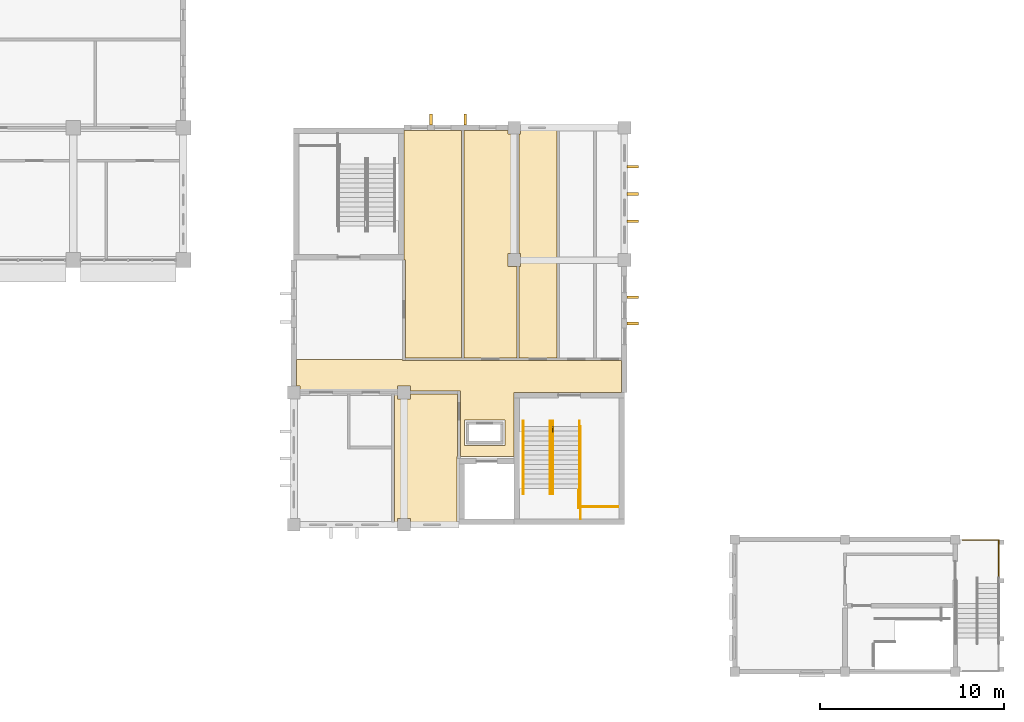
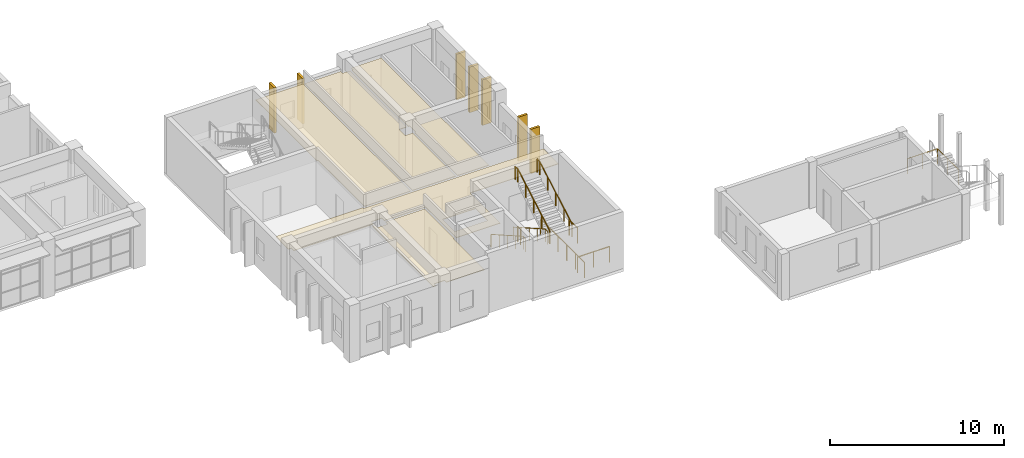
# One storey, part 45 of 47: 9 railings, 7 shading devices, 5 coverings.
"""IFC4 building model written with IfcOpenShell, lengths in metres."""

from ifc_helpers import new_model, si_unit, direction, frame, origin, origin_2d, place, context, subcontext, project, spatial, polyline, rectangle, circle, outline, extrude, material, layer, layer_set, type_object, element, save


model = new_model("IFC4")

# Units and contexts
model_context = context("Model", 3, precision=1e-05, world=origin(), true_north=direction((0.0, 1.0)))
body_context = subcontext(model_context, "Body", "Model", "MODEL_VIEW")
ifc_project = project(units=[si_unit("LENGTHUNIT", "METRE"), si_unit("AREAUNIT", "SQUARE_METRE"), si_unit("VOLUMEUNIT", "CUBIC_METRE"), si_unit("PLANEANGLEUNIT", "RADIAN"), si_unit("MASSUNIT", "GRAM", prefix="KILO")], contexts=[model_context])

# Site, building, storey
site_placement = place(None, origin())
site = spatial("IfcSite", under=ifc_project, at=site_placement, CompositionType="ELEMENT")
building_placement = place(site_placement, origin())
building = spatial("IfcBuilding", under=site, at=building_placement, Name="Laocheng Heights Fire and Rescue Headquarters", CompositionType="ELEMENT")
storey_placement = place(building_placement, frame((0.0, 0.0, 16.800048828125)))
storey = spatial("IfcBuildingStorey", under=building, at=storey_placement, Name="L04", CompositionType="ELEMENT", Elevation=16.800048828125)

# Shading devices
ifc_material_1 = material(Name="Precast concrete C40/50, light warm grey", Category="concrete")
ifc_layer_1 = layer(ifc_material_1, 0.14990234375)
ifc_layer_set_1 = layer_set([ifc_layer_1], Name="Precast concrete C40/50, light warm grey")
shading_device_type = type_object("IfcShadingDeviceType", Name="PRECAST VERTICAL FIN 150 x 600 DORMITORY", PredefinedType="AWNING", material=ifc_layer_set_1)
for number, where, z_axis, x_axis, name in (
    (1, (108.449951171875, 46.956298828125, 0.0), (0.0, 0.0, 1.0), (1.0, 0.0, 0.0), "FIN CREW L04"),
    (2, (108.449951171875, 48.373779296875, 0.0), (0.0, 0.0, 1.0), (1.0, 0.0, 0.0), "FIN CREW L04"),
):
    element("IfcShadingDevice", number, at=place(storey_placement, frame(where, z_axis=z_axis, x_axis=x_axis)), inside=storey, type_object=shading_device_type, Name=name, PredefinedType="AWNING", context=body_context, shape_type="SweptSolid", body=[
        extrude(rectangle(XDim=0.60009765625, YDim=0.14990234375, at=origin_2d()), origin(), (0.0, 0.0, 1.0), 3.10009765625),
    ])
for number, where, z_axis, x_axis, name in (
    (3, (108.449951171875, 52.52001953125, 0.0), (0.0, 0.0, 1.0), (1.0, 0.0, 0.0), "FIN CREW L04"),
    (4, (108.449951171875, 54.0, 0.0), (0.0, 0.0, 1.0), (1.0, 0.0, 0.0), "FIN CREW L04"),
    (5, (108.449951171875, 55.47998046875, 0.0), (0.0, 0.0, 1.0), (1.0, 0.0, 0.0), "FIN CREW L04"),
):
    element("IfcShadingDevice", number, at=place(storey_placement, frame(where, z_axis=z_axis, x_axis=x_axis)), inside=storey, type_object=shading_device_type, Name=name, PredefinedType="AWNING", context=body_context, shape_type="SweptSolid", body=[
        extrude(rectangle(XDim=0.60009765625, YDim=0.14990234375, at=origin_2d()), origin(), (0.0, 0.0, 1.0), 3.199951171875),
    ])
for number, where, z_axis, x_axis, name in (
    (6, (97.469970703125, 58.050048828125, 0.0), (0.0, 0.0, 1.0), (1.0, 0.0, 0.0), "FIN CREW L04"),
    (7, (99.33251953125, 58.050048828125, 0.0), (0.0, 0.0, 1.0), (1.0, 0.0, 0.0), "FIN CREW L04"),
):
    element("IfcShadingDevice", number, at=place(storey_placement, frame(where, z_axis=z_axis, x_axis=x_axis)), inside=storey, type_object=shading_device_type, Name=name, PredefinedType="AWNING", context=body_context, shape_type="SweptSolid", body=[
        extrude(rectangle(XDim=0.14990234375, YDim=0.60009765625, at=origin_2d()), origin(), (0.0, 0.0, 1.0), 3.199951171875),
    ])

# Railings
ifc_material_2 = material(Name="Steel Q355B", Category="steel")
railing_type_1 = type_object("IfcRailingType", Name="STAIR GUARD 1100", PredefinedType="GUARDRAIL", material=ifc_material_2)
railing_1_placement = place(storey_placement, frame((104.094970703125, 41.0498046875, 0.0)))
element("IfcRailing", 8, at=railing_1_placement, inside=storey, type_object=railing_type_1, Name="Stair C1 guard L04 well edge", PredefinedType="GUARDRAIL", context=body_context, shape_type="SweptSolid", body=[
    extrude(circle(Radius=0.02392578125, at=origin_2d()), frame((0.0, 0.0, 1.076171875), z_axis=(0.0, 1.0, 0.0), x_axis=(-1.0, 0.0, 0.0)), (0.0, 0.0, 1.0), 0.30029296875),
    extrude(circle(Radius=0.02099609375, at=origin_2d()), origin(), (0.0, 0.0, 1.0), 1.052001953125),
    extrude(circle(Radius=0.02099609375, at=origin_2d()), frame((0.0, 0.30029296875, 0.0)), (0.0, 0.0, 1.0), 1.052001953125),
])
railing_2_placement = place(storey_placement, frame((105.52490234375, 36.97998046875, 0.0)))
element("IfcRailing", 9, at=railing_2_placement, inside=storey, type_object=railing_type_1, Name="Stair C1 guard L04 tongue edge", PredefinedType="GUARDRAIL", context=body_context, shape_type="SweptSolid", body=[
    extrude(circle(Radius=0.02392578125, at=origin_2d()), frame((0.0, 0.0, 1.076171875), z_axis=(1.0, 0.0, 0.0), x_axis=(0.0, 1.0, 0.0)), (0.0, 0.0, 1.0), 2.125),
    extrude(circle(Radius=0.02099609375, at=origin_2d()), origin(), (0.0, 0.0, 1.0), 1.052001953125),
    extrude(circle(Radius=0.02099609375, at=origin_2d()), frame((1.0625, 0.0, 0.0)), (0.0, 0.0, 1.0), 1.052001953125),
    extrude(circle(Radius=0.02099609375, at=origin_2d()), frame((2.125, 0.0, 0.0)), (0.0, 0.0, 1.0), 1.052001953125),
])
railing_3_placement = place(storey_placement, frame((105.60498046875, 36.320068359375, 0.0)))
element("IfcRailing", 10, at=railing_3_placement, inside=storey, type_object=railing_type_1, Name="Stair C1 guard L04 strip edge", PredefinedType="GUARDRAIL", context=body_context, shape_type="SweptSolid", body=[
    extrude(circle(Radius=0.02392578125, at=origin_2d()), frame((0.0, 0.0, 1.076171875), z_axis=(0.0, 1.0, 0.0), x_axis=(-1.0, 0.0, 0.0)), (0.0, 0.0, 1.0), 5.030029296875),
    extrude(circle(Radius=0.02099609375, at=origin_2d()), origin(), (0.0, 0.0, 1.0), 1.052001953125),
    extrude(circle(Radius=0.02099609375, at=origin_2d()), frame((0.0, 1.006103515625, 0.0)), (0.0, 0.0, 1.0), 1.052001953125),
    extrude(circle(Radius=0.02099609375, at=origin_2d()), frame((0.0, 2.011962890625, 0.0)), (0.0, 0.0, 1.0), 1.052001953125),
    extrude(circle(Radius=0.02099609375, at=origin_2d()), frame((0.0, 3.01806640625, 0.0)), (0.0, 0.0, 1.0), 1.052001953125),
    extrude(circle(Radius=0.02099609375, at=origin_2d()), frame((0.0, 4.02392578125, 0.0)), (0.0, 0.0, 1.0), 1.052001953125),
    extrude(circle(Radius=0.02099609375, at=origin_2d()), frame((0.0, 5.030029296875, 0.0)), (0.0, 0.0, 1.0), 1.052001953125),
])
railing_4_placement = place(storey_placement, frame((105.4951171875, 36.919921875, 2.099853515625)))
element("IfcRailing", 11, at=railing_4_placement, inside=storey, type_object=railing_type_1, Name="Stair C1 guard L04 half landing", PredefinedType="GUARDRAIL", context=body_context, shape_type="SweptSolid", body=[
    extrude(circle(Radius=0.02392578125, at=origin_2d()), frame((0.0, 0.0, 1.076171875), z_axis=(0.0, 1.0, 0.0), x_axis=(-1.0, 0.0, 0.0)), (0.0, 0.0, 1.0), 0.9501953125),
    extrude(circle(Radius=0.02099609375, at=origin_2d()), origin(), (0.0, 0.0, 1.0), 1.052001953125),
    extrude(circle(Radius=0.02099609375, at=origin_2d()), frame((0.0, 0.9501953125, 0.0)), (0.0, 0.0, 1.0), 1.052001953125),
])
railing_5_placement = place(storey_placement, frame((128.3701171875, 32.800048828125, 0.699951171875)))
element("IfcRailing", 12, at=railing_5_placement, inside=storey, type_object=railing_type_1, Name="Stair T2 guard F6 landing edge", PredefinedType="GUARDRAIL", context=body_context, shape_type="SweptSolid", body=[
    extrude(circle(Radius=0.02392578125, at=origin_2d()), frame((0.0, 0.0, 1.076171875), z_axis=(0.0, 1.0, 0.0), x_axis=(-1.0, 0.0, 0.0)), (0.0, 0.0, 1.0), 2.369873046875),
    extrude(circle(Radius=0.02392578125, at=origin_2d()), frame((0.0, 2.369873046875, 1.076171875), z_axis=(-1.0, 0.0, 0.0), x_axis=(0.0, -1.0, 0.0)), (0.0, 0.0, 1.0), 1.97021484375),
    extrude(circle(Radius=0.02099609375, at=origin_2d()), origin(), (0.0, 0.0, 1.0), 1.052001953125),
    extrude(circle(Radius=0.02099609375, at=origin_2d()), frame((0.0, 1.18505859375, 0.0)), (0.0, 0.0, 1.0), 1.052001953125),
    extrude(circle(Radius=0.02099609375, at=origin_2d()), frame((0.0, 2.369873046875, 0.0)), (0.0, 0.0, 1.0), 1.052001953125),
    extrude(circle(Radius=0.02099609375, at=origin_2d()), frame((-0.985107421875, 2.369873046875, 0.0)), (0.0, 0.0, 1.0), 1.052001953125),
    extrude(circle(Radius=0.02099609375, at=origin_2d()), frame((-1.97021484375, 2.369873046875, 0.0)), (0.0, 0.0, 1.0), 1.052001953125),
])
ifc_material_3 = material(Name="Steel Q355B", Category="steel")
railing_type_2 = type_object("IfcRailingType", Name="STAIR HANDRAIL 920", PredefinedType="HANDRAIL", material=ifc_material_3)
for number, where, name in (
    (13, (102.4951171875, 41.64990234375, 0.0), "Stair C1 handrail L04 1"),
    (14, (103.955078125, 41.64990234375, 0.0), "Stair C1 handrail L04 2"),
):
    element("IfcRailing", number, at=place(storey_placement, frame(where)), inside=storey, type_object=railing_type_2, Name=name, PredefinedType="HANDRAIL", context=body_context, shape_type="SweptSolid", body=[
        extrude(circle(Radius=0.02392578125, at=origin_2d()), frame((0.0, 0.0, 0.89599609375), z_axis=(0.0, -0.868544392059, 0.495611379029), x_axis=(1.0, 0.0, 0.0)), (0.0, 0.0, 1.0), 4.23681640625),
        extrude(circle(Radius=0.02392578125, at=origin_2d()), frame((0.0, -3.679931640625, 2.99560546875), z_axis=(0.0, -1.0, 0.0), x_axis=(1.0, 0.0, 0.0)), (0.0, 0.0, 1.0), 0.300048828125),
        extrude(circle(Radius=0.02099609375, at=origin_2d()), origin(), (0.0, 0.0, 1.0), 0.871826171875),
        extrude(circle(Radius=0.02099609375, at=origin_2d()), frame((0.0, -0.919921875, 0.52490234375)), (0.0, 0.0, 1.0), 0.871826171875),
        extrude(circle(Radius=0.02099609375, at=origin_2d()), frame((0.0, -1.83984375, 1.0498046875)), (0.0, 0.0, 1.0), 0.871826171875),
        extrude(circle(Radius=0.02099609375, at=origin_2d()), frame((0.0, -2.760009765625, 1.574951171875)), (0.0, 0.0, 1.0), 0.871826171875),
        extrude(circle(Radius=0.02099609375, at=origin_2d()), frame((0.0, -3.679931640625, 2.099853515625)), (0.0, 0.0, 1.0), 0.871826171875),
        extrude(circle(Radius=0.02099609375, at=origin_2d()), frame((0.0, -3.97998046875, 2.099853515625)), (0.0, 0.0, 1.0), 0.871826171875),
    ])
for number, where, name in (
    (15, (104.094970703125, 37.669921875, 2.099853515625), "Stair C1 handrail L04 3"),
    (16, (105.554931640625, 37.669921875, 2.099853515625), "Stair C1 handrail L04 4"),
):
    element("IfcRailing", number, at=place(storey_placement, frame(where)), inside=storey, type_object=railing_type_2, Name=name, PredefinedType="HANDRAIL", context=body_context, shape_type="SweptSolid", body=[
        extrude(circle(Radius=0.02392578125, at=origin_2d()), frame((0.0, 0.0, 0.89599609375), z_axis=(0.0, 0.868533742332, 0.495630041896), x_axis=(-1.0, 0.0, 0.0)), (0.0, 0.0, 1.0), 4.2373046875),
        extrude(circle(Radius=0.02392578125, at=origin_2d()), frame((0.0, 3.68017578125, 2.99609375), z_axis=(0.0, 1.0, 0.0), x_axis=(-1.0, 0.0, 0.0)), (0.0, 0.0, 1.0), 0.2998046875),
        extrude(circle(Radius=0.02099609375, at=origin_2d()), origin(), (0.0, 0.0, 1.0), 0.871826171875),
        extrude(circle(Radius=0.02099609375, at=origin_2d()), frame((0.0, 0.919921875, 0.52490234375)), (0.0, 0.0, 1.0), 0.871826171875),
        extrude(circle(Radius=0.02099609375, at=origin_2d()), frame((0.0, 1.840087890625, 1.050048828125)), (0.0, 0.0, 1.0), 0.871826171875),
        extrude(circle(Radius=0.02099609375, at=origin_2d()), frame((0.0, 2.76025390625, 1.5751953125)), (0.0, 0.0, 1.0), 0.871826171875),
        extrude(circle(Radius=0.02099609375, at=origin_2d()), frame((0.0, 3.68017578125, 2.10009765625)), (0.0, 0.0, 1.0), 0.871826171875),
        extrude(circle(Radius=0.02099609375, at=origin_2d()), frame((0.0, 3.97998046875, 2.10009765625)), (0.0, 0.0, 1.0), 0.871826171875),
    ])

# Coverings
ifc_material_4 = material(Name="Mineral fibre ceiling tile")
ifc_layer_2 = layer(ifc_material_4, 0.0400390625)
ifc_layer_set_2 = layer_set([ifc_layer_2], Name="Mineral fibre ceiling tile")
covering_type = type_object("IfcCoveringType", Name="SUSPENDED CEILING MINERAL FIBRE TILE CREW WING", PredefinedType="CEILING", material=ifc_layer_set_2)
covering_1_placement = place(storey_placement, frame((0.0, 0.0, 3.0)))
element("IfcCovering", 17, at=covering_1_placement, inside=storey, type_object=covering_type, Name="Circulation ceiling", PredefinedType="CEILING", context=body_context, shape_type="SweptSolid", body=[
    extrude(outline(polyline([(95.925048828125, 44.925048828125), (96.074951171875, 44.925048828125), (107.85009765625, 44.925048828125), (107.85009765625, 43.199951171875), (102.0, 43.199951171875), (102.0, 39.72509765625), (101.875, 39.72509765625), (99.125, 39.72509765625), (99.074951171875, 39.72509765625), (99.074951171875, 43.27490234375), (98.925048828125, 43.27490234375), (96.35009765625, 43.27490234375), (96.35009765625, 43.550048828125), (95.64990234375, 43.550048828125), (95.64990234375, 43.27490234375), (90.35009765625, 43.27490234375), (90.35009765625, 43.550048828125), (90.14990234375, 43.550048828125), (90.14990234375, 45.0), (95.925048828125, 45.0), (95.925048828125, 44.925048828125)]), holes=[polyline([(101.300048828125, 40.300048828125), (101.5, 40.300048828125), (101.5, 40.5), (101.5, 41.5), (101.5, 41.699951171875), (101.300048828125, 41.699951171875), (99.5, 41.699951171875), (99.300048828125, 41.699951171875), (99.300048828125, 41.5), (99.300048828125, 40.5), (99.300048828125, 40.300048828125), (99.5, 40.300048828125), (101.300048828125, 40.300048828125)])]), origin(), (0.0, 0.0, 1.0), 0.0400390625),
])
covering_2_placement = place(storey_placement, frame((0.0, 0.0, 3.0)))
element("IfcCovering", 18, at=covering_2_placement, inside=storey, type_object=covering_type, Name="Toilets ceiling", PredefinedType="CEILING", context=body_context, shape_type="SweptSolid", body=[
    extrude(outline(polyline([(96.35009765625, 36.14990234375), (96.35009765625, 36.35009765625), (95.64990234375, 36.35009765625), (95.64990234375, 36.14990234375), (95.47509765625, 36.14990234375), (95.47509765625, 43.125), (95.64990234375, 43.125), (95.64990234375, 42.85009765625), (96.35009765625, 42.85009765625), (96.35009765625, 43.125), (98.925048828125, 43.125), (98.925048828125, 39.72509765625), (98.875, 39.72509765625), (98.875, 39.47509765625), (98.875, 36.14990234375), (96.35009765625, 36.14990234375)])), origin(), (0.0, 0.0, 1.0), 0.0400390625),
])
covering_3_placement = place(storey_placement, frame((0.0, 0.0, 3.0)))
element("IfcCovering", 19, at=covering_3_placement, inside=storey, type_object=covering_type, Name="Fire Prevention Room ceiling", PredefinedType="CEILING", context=body_context, shape_type="SweptSolid", body=[
    extrude(outline(polyline([(99.139892578125, 57.449951171875), (99.139892578125, 45.074951171875), (96.074951171875, 45.074951171875), (96.074951171875, 50.39990234375), (96.0, 50.39990234375), (96.0, 57.449951171875), (99.139892578125, 57.449951171875)])), origin(), (0.0, 0.0, 1.0), 0.0400390625),
])
covering_4_placement = place(storey_placement, frame((0.0, 0.0, 3.0)))
element("IfcCovering", 20, at=covering_4_placement, inside=storey, type_object=covering_type, Name="Community Fire Safety Team Room ceiling", PredefinedType="CEILING", context=body_context, shape_type="SweptSolid", body=[
    extrude(outline(polyline([(102.139892578125, 50.75), (101.64990234375, 50.75), (101.64990234375, 50.050048828125), (102.139892578125, 50.050048828125), (102.139892578125, 45.074951171875), (99.260009765625, 45.074951171875), (99.260009765625, 57.449951171875), (101.64990234375, 57.449951171875), (101.64990234375, 57.25), (102.139892578125, 57.25), (102.139892578125, 50.75)])), origin(), (0.0, 0.0, 1.0), 0.0400390625),
])
covering_5_placement = place(storey_placement, frame((0.0, 0.0, 3.0)))
element("IfcCovering", 21, at=covering_5_placement, inside=storey, type_object=covering_type, Name="Video Conference Room ceiling", PredefinedType="CEILING", context=body_context, shape_type="SweptSolid", body=[
    extrude(outline(polyline([(104.324951171875, 45.074951171875), (102.260009765625, 45.074951171875), (102.260009765625, 50.050048828125), (102.35009765625, 50.050048828125), (102.35009765625, 50.75), (102.260009765625, 50.75), (102.260009765625, 57.25), (102.35009765625, 57.25), (102.35009765625, 57.449951171875), (104.324951171875, 57.449951171875), (104.324951171875, 45.074951171875)])), origin(), (0.0, 0.0, 1.0), 0.0400390625),
])

save(model, "model.ifc")
